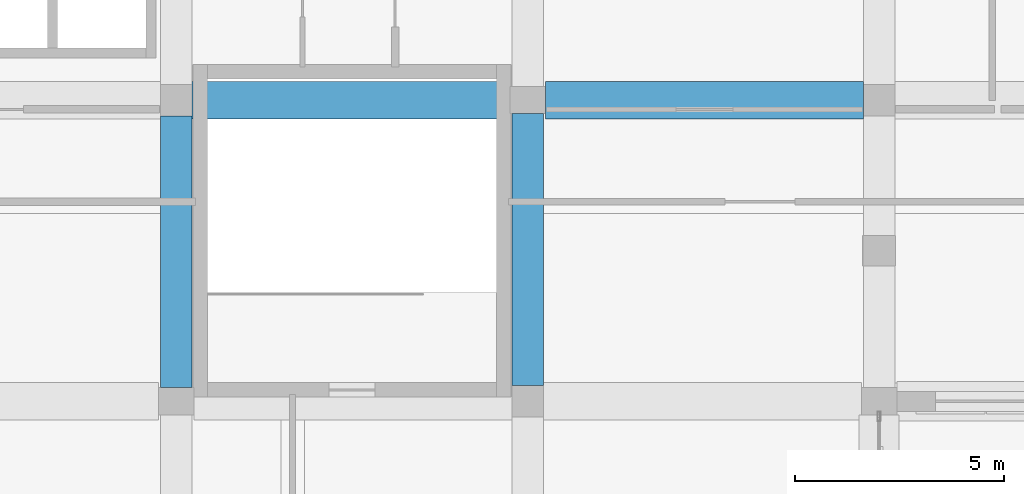
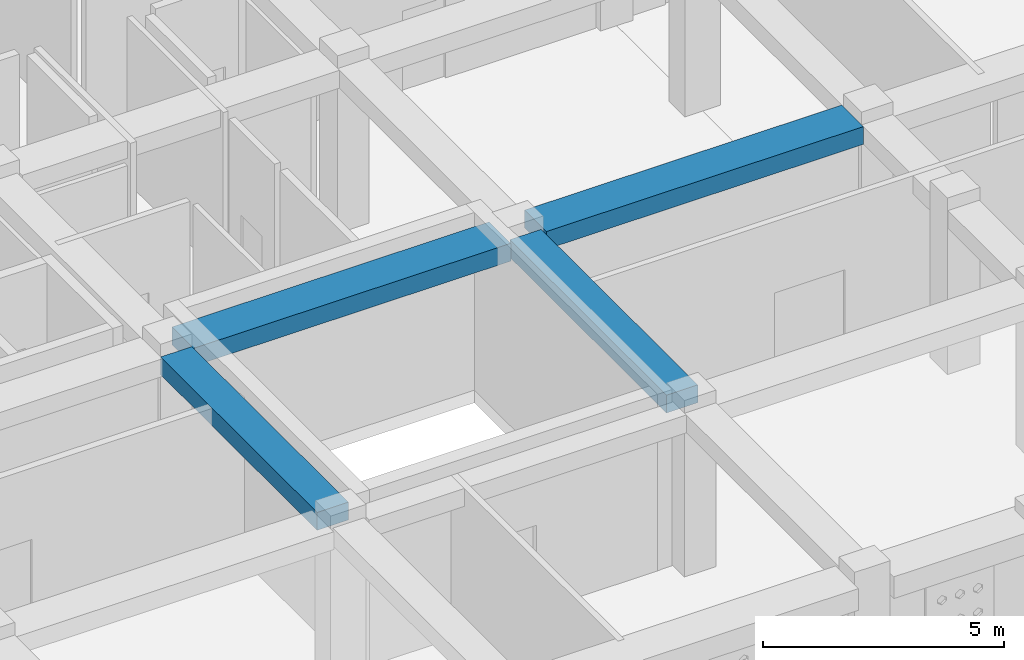
# One storey, part 8 of 111: 4 beams.
"""IFC4 building model written with IfcOpenShell, lengths in metres."""

from ifc_helpers import new_model, si_unit, derived_unit, direction, frame, origin, origin_2d, place, context, subcontext, project, spatial, rectangle, extrude, material, material_profile, profile_set, type_object, element, save


model = new_model("IFC4")

# Units and contexts
model_context = context("Model", 3, precision=1e-05, world=origin(), true_north=direction((0.0, 1.0)))
body_context = subcontext(model_context, "Body", "Model", "MODEL_VIEW")
ifc_project = project(units=[si_unit("LENGTHUNIT", "METRE"), si_unit("AREAUNIT", "SQUARE_METRE"), si_unit("VOLUMEUNIT", "CUBIC_METRE"), si_unit("PLANEANGLEUNIT", "RADIAN"), si_unit("MASSUNIT", "GRAM", prefix="KILO"), derived_unit("THERMALTRANSMITTANCEUNIT", [(si_unit("POWERUNIT", "WATT"), 1), (si_unit("LENGTHUNIT", "METRE"), -2), (si_unit("THERMODYNAMICTEMPERATUREUNIT", "KELVIN"), -1)])], contexts=[model_context])

# Site, building, storey
site_placement = place(None, origin())
site = spatial("IfcSite", under=ifc_project, at=site_placement, CompositionType="ELEMENT")
building_placement = place(site_placement, origin())
building = spatial("IfcBuilding", under=site, at=building_placement, Name="Veybourne Emporium", CompositionType="ELEMENT")
storey_placement = place(building_placement, frame((0.0, 0.0, 9.89990234375)))
storey = spatial("IfcBuildingStorey", under=building, at=storey_placement, Name="L02", CompositionType="ELEMENT", Elevation=9.89990234375)

# Beams
ifc_material = material(Name="Concrete C32/40", Category="concrete")
ifc_material_profile_1 = material_profile(ifc_material, rectangle(XDim=0.89990234375, YDim=0.449951171875, at=origin_2d()), Name="RC 900x450")
ifc_profile_set_1 = profile_set([ifc_material_profile_1], Name="Concrete C32/40")
beam_type_1 = type_object("IfcBeamType", Name="RCBeam_BB-03", PredefinedType="BEAM", material=ifc_profile_set_1)
for number, where, z_axis, x_axis, name in (
    (1, (33.97509765625, 14.39990234375, 3.955078125), (1.0, 0.0, 0.0), (0.0, 1.0, 0.0), "L02 X-grid beam BB-03 (4,2)"),
    (2, (42.425048828125, 14.39990234375, 3.955078125), (1.0, 0.0, 0.0), (0.0, 1.0, 0.0), "L02 X-grid beam BB-03 (5,2)"),
):
    element("IfcBeam", number, at=place(storey_placement, frame(where, z_axis=z_axis, x_axis=x_axis)), inside=storey, type_object=beam_type_1, Name=name, PredefinedType="BEAM", context=body_context, shape_type="SweptSolid", body=[
        extrude(rectangle(XDim=0.89990234375, YDim=0.449951171875, at=origin_2d()), origin(), (0.0, 0.0, 1.0), 7.599853515625),
    ])
ifc_material_profile_2 = material_profile(ifc_material, rectangle(XDim=0.75, YDim=0.449951171875, at=origin_2d()), Name="RC 750x450")
ifc_profile_set_2 = profile_set([ifc_material_profile_2], Name="Concrete C32/40")
beam_type_2 = type_object("IfcBeamType", Name="RCBeam_BB-04", PredefinedType="BEAM", material=ifc_profile_set_2)
for number, where, z_axis, x_axis, name in (
    (3, (33.60009765625, 7.52490234375, 3.955078125), (0.0, 1.0, 0.0), (-1.0, 0.0, 0.0), "L02 Y-grid beam BB-04 (4,1)"),
    (4, (42.0, 7.574951171875, 3.955078125), (0.0, 1.0, 0.0), (-1.0, 0.0, 0.0), "L02 Y-grid beam BB-04 (5,1)"),
):
    element("IfcBeam", number, at=place(storey_placement, frame(where, z_axis=z_axis, x_axis=x_axis)), inside=storey, type_object=beam_type_2, Name=name, PredefinedType="BEAM", context=body_context, shape_type="SweptSolid", body=[
        extrude(rectangle(XDim=0.75, YDim=0.449951171875, at=origin_2d()), origin(), (0.0, 0.0, 1.0), 6.5),
    ])

save(model, "model.ifc")
